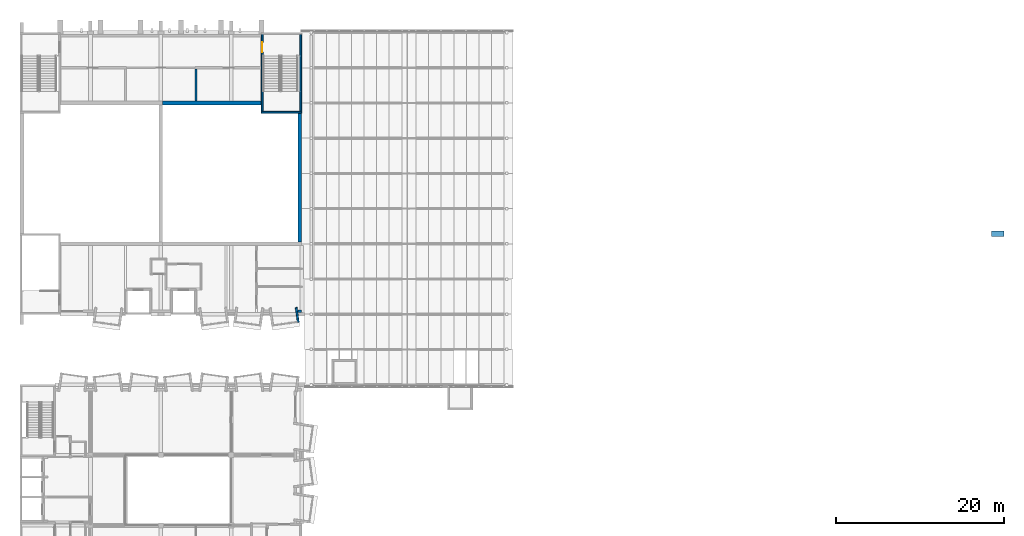
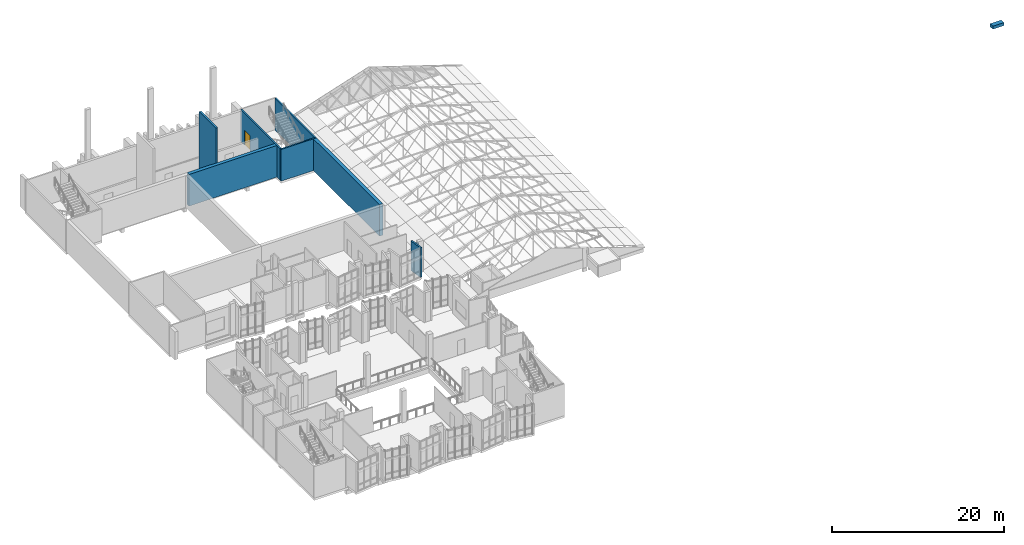
# One storey, part 84 of 95: 9 walls, 1 door, 1 opening.
"""IFC4 building model written with IfcOpenShell, lengths in metres."""

import ifcopenshell
import ifcopenshell.guid

model = None  # the IFC model being written
_history = None  # IfcOwnerHistory: only IFC2X3 demands one
_inside = {}  # id of a spatial element -> (the spatial element, [elements in it])
_under = {}  # id of a project, library or spatial element -> (it, [spatial elements below it])
_declared = {}  # id of a project -> (the project, [libraries it declares])
_typed = {}  # id of a type object -> (the type object, [elements of that type])
_made_of = {}  # id of a material, layer set ... -> (it, [elements and type objects made of it])


def new_model(schema):
    """Start an empty IFC model of exactly this schema.

    Asked for "IFC4X3", IfcOpenShell would pick the latest addendum, in which some entities
    have other attributes; the version numbers below select the first issue.
    IFC2X3 requires an IfcOwnerHistory on every rooted entity: one is made here for all.
    """
    global model, _history
    if schema == "IFC4X3":
        model = ifcopenshell.file(schema_version=(4, 3, 0, 0))
    else:
        model = ifcopenshell.file(schema=schema)
    _inside.clear()
    _under.clear()
    _declared.clear()
    _typed.clear()
    _made_of.clear()
    _history = None
    if model.schema == "IFC2X3":
        org = make("IfcOrganization", Name="unknown")
        user = make(
            "IfcPersonAndOrganization",
            ThePerson=make("IfcPerson", FamilyName="unknown"),
            TheOrganization=org,
        )
        app = make(
            "IfcApplication",
            ApplicationDeveloper=org,
            Version="unknown",
            ApplicationFullName="unknown",
            ApplicationIdentifier="unknown",
        )
        _history = make(
            "IfcOwnerHistory",
            OwningUser=user,
            OwningApplication=app,
            ChangeAction="ADDED",
            CreationDate=0,
        )
    return model


def make(cls, **values):
    """One entity of the class cls with the attributes given. An attribute that is None is left unset."""
    return model.create_entity(
        cls, **{name: value for name, value in values.items() if value is not None}
    )


def rooted(cls, **values):
    """An entity with a GlobalId (a new one), such as an element, a storey or a relation."""
    return make(cls, GlobalId=ifcopenshell.guid.new(), OwnerHistory=_history, **values)


def si_unit(unit_type, name, prefix=None):
    """IfcSIUnit, for example si_unit("LENGTHUNIT", "METRE", prefix="MILLI")."""
    return make("IfcSIUnit", UnitType=unit_type, Prefix=prefix, Name=name)


def assignment(units):
    """IfcUnitAssignment: the units of a project."""
    return None if units is None else make("IfcUnitAssignment", Units=units)


def point(xyz):
    """IfcCartesianPoint."""
    return None if xyz is None else make("IfcCartesianPoint", Coordinates=xyz)


def direction(xyz):
    """IfcDirection."""
    return None if xyz is None else make("IfcDirection", DirectionRatios=xyz)


def frame(location, z_axis=None, x_axis=None):
    """IfcAxis2Placement3D, a coordinate frame: its origin and axes. An axis left out is left unset."""
    return make(
        "IfcAxis2Placement3D",
        Location=point(location),
        Axis=direction(z_axis),
        RefDirection=direction(x_axis),
    )


def frame_2d(location, x_axis=None):
    """IfcAxis2Placement2D, a coordinate frame in the plane: its origin and x axis."""
    return make(
        "IfcAxis2Placement2D", Location=point(location), RefDirection=direction(x_axis)
    )


def origin():
    """The frame at (0, 0, 0) with its axes left unset."""
    return frame((0.0, 0.0, 0.0))


def place(relative_to, where):
    """IfcLocalPlacement: puts the frame where relative to a parent placement (None: the world)."""
    return make(
        "IfcLocalPlacement", PlacementRelTo=relative_to, RelativePlacement=where
    )


def context(
    kind, dimensions, precision=None, world=None, true_north=None, identifier=None
):
    """IfcGeometricRepresentationContext, for example the 3D "Model" context."""
    return make(
        "IfcGeometricRepresentationContext",
        ContextIdentifier=identifier,
        ContextType=kind,
        CoordinateSpaceDimension=dimensions,
        Precision=precision,
        WorldCoordinateSystem=world,
        TrueNorth=true_north,
    )


def subcontext(parent, identifier, kind, view, scale=None):
    """IfcGeometricRepresentationSubContext, for example "Body" below "Model"."""
    return make(
        "IfcGeometricRepresentationSubContext",
        ContextIdentifier=identifier,
        ContextType=kind,
        ParentContext=parent,
        TargetScale=scale,
        TargetView=view,
    )


def project(units=None, contexts=None):
    """IfcProject with its units and contexts."""
    return rooted(
        "IfcProject",
        Name="project",
        RepresentationContexts=contexts,
        UnitsInContext=assignment(units),
    )


def spatial(cls, under=None, at=None, **own):
    """A site, building, storey or space (cls), placed at a placement, below another one or the project."""
    s = rooted(cls, ObjectPlacement=at, **own)
    if under is not None:
        _under.setdefault(under.id(), (under, []))[1].append(s)
    return s


def profile(cls, at=None, kind="AREA", **sizes):
    """A parametric profile (cls). Its sizes go by their IFC names, for example OverallWidth=200.0."""
    return make(cls, ProfileType=kind, Position=at, **sizes)


def rectangle(**sizes):
    """IfcRectangleProfileDef."""
    return profile("IfcRectangleProfileDef", **sizes)


def extrude(swept, where, along, depth):
    """IfcExtrudedAreaSolid: the profile swept, set in the frame where, extruded along a direction by depth."""
    return make(
        "IfcExtrudedAreaSolid",
        SweptArea=swept,
        Position=where,
        ExtrudedDirection=direction(along),
        Depth=depth,
    )


def shape(context_of_items, identifier, shape_type, items):
    """IfcShapeRepresentation: the items that make up one representation, for example the "Body"."""
    return make(
        "IfcShapeRepresentation",
        ContextOfItems=context_of_items,
        RepresentationIdentifier=identifier,
        RepresentationType=shape_type,
        Items=items,
    )


def material(Name=None, Category=None):
    """IfcMaterial."""
    return make("IfcMaterial", Name=Name, Category=Category)


def layer(
    of_material, thickness, ventilated=None, Name=None, Category=None, Priority=None
):
    """IfcMaterialLayer: one layer of a wall or slab, of a material (None: an air gap)."""
    return make(
        "IfcMaterialLayer",
        Material=of_material,
        LayerThickness=thickness,
        IsVentilated=ventilated,
        Name=Name,
        Category=Category,
        Priority=Priority,
    )


def layer_set(layers, Name=None):
    """IfcMaterialLayerSet."""
    return make("IfcMaterialLayerSet", MaterialLayers=layers, LayerSetName=Name)


def made_of(thing, what):
    """Note that an element or type object is made of a material, layer set ...; save() writes the relation."""
    if what is not None:
        _made_of.setdefault(what.id(), (what, []))[1].append(thing)
    return thing


def type_object(cls, material=None, **own):
    """A type object (cls), such as IfcWallType, which elements share."""
    return made_of(rooted(cls, **own), material)


def element(
    cls,
    number,
    at=None,
    inside=None,
    cuts=None,
    type_object=None,
    material=None,
    context=None,
    identifier="Body",
    shape_type=None,
    held_by="IfcProductDefinitionShape",
    body=None,
    shapes=None,
    **own,
):
    """One element of the class cls, such as IfcWall. Its Tag is "e" and its number.

    at: its placement. inside: the storey or other place that contains it. cuts: it is an
    opening in that element (IfcRelVoidsElement). A single representation is given by context,
    identifier, shape_type and body (its items); several are given by shapes. held_by: the class
    of the entity that holds the representations. save() writes the other relations.
    """
    e = rooted(cls, Tag="e%d" % number, ObjectPlacement=at, **own)
    if body is not None:
        shapes = [shape(context, identifier, shape_type, body)]
    if shapes is not None:
        e.Representation = make(held_by, Representations=shapes)
    if inside is not None:
        _inside.setdefault(inside.id(), (inside, []))[1].append(e)
    if cuts is not None:
        rooted(
            "IfcRelVoidsElement", RelatingBuildingElement=cuts, RelatedOpeningElement=e
        )
    if type_object is not None:
        _typed.setdefault(type_object.id(), (type_object, []))[1].append(e)
    return made_of(e, material)


def fill(opening, filler):
    """IfcRelFillsElement: the door or window that sits in an opening."""
    return rooted(
        "IfcRelFillsElement",
        RelatingOpeningElement=opening,
        RelatedBuildingElement=filler,
    )


def aggregate(whole, parts):
    """IfcRelAggregates: a whole, such as a stair, and the parts it consists of."""
    return rooted("IfcRelAggregates", RelatingObject=whole, RelatedObjects=parts)


def save(model, path):
    """Write the relations noted so far, then the file.

    IfcRelAggregates (storeys below a building ...), IfcRelContainedInSpatialStructure (elements
    in a storey), IfcRelDefinesByType, IfcRelAssociatesMaterial and IfcRelDeclares: one each for
    every whole, place, type object, material and project.
    """
    for whole, parts in _under.values():
        aggregate(whole, parts)
    for where, things in _inside.values():
        rooted(
            "IfcRelContainedInSpatialStructure",
            RelatedElements=things,
            RelatingStructure=where,
        )
    for kind, things in _typed.values():
        rooted("IfcRelDefinesByType", RelatedObjects=things, RelatingType=kind)
    for what, things in _made_of.values():
        rooted("IfcRelAssociatesMaterial", RelatedObjects=things, RelatingMaterial=what)
    for by, libraries in _declared.values():
        rooted("IfcRelDeclares", RelatingContext=by, RelatedDefinitions=libraries)
    model.write(path)


model = new_model("IFC4")

# Units and contexts
model_context = context("Model", 3, precision=1e-05, world=origin(), true_north=direction((0.0, 1.0)))
body_context = subcontext(model_context, "Body", "Model", "MODEL_VIEW")
ifc_project = project(units=[si_unit("LENGTHUNIT", "METRE"), si_unit("AREAUNIT", "SQUARE_METRE"), si_unit("VOLUMEUNIT", "CUBIC_METRE"), si_unit("PLANEANGLEUNIT", "RADIAN"), si_unit("MASSUNIT", "GRAM", prefix="KILO")], contexts=[model_context])

# Site, building, storey
site_placement = place(None, origin())
site = spatial("IfcSite", under=ifc_project, at=site_placement, CompositionType="ELEMENT")
building_placement = place(site_placement, origin())
building = spatial("IfcBuilding", under=site, at=building_placement, Name="Kiln Court Media Centre", CompositionType="ELEMENT")
storey_placement = place(building_placement, frame((0.0, 0.0, 24.60009765625)))
storey = spatial("IfcBuildingStorey", under=building, at=storey_placement, Name="L05", CompositionType="ELEMENT", Elevation=24.60009765625)

# Walls
ifc_material_1 = material(Name="Brick masonry facing leaf with RC backing", Category="masonry")
ifc_layer_1 = layer(ifc_material_1, 0.215087890625)
ifc_layer_set_1 = layer_set([ifc_layer_1], Name="Brick masonry bay cheek wall 215")
wall_type_1 = type_object("IfcWallType", Name="Brick masonry bay cheek wall 215", PredefinedType="SOLIDWALL", material=ifc_layer_set_1)
wall_1_placement = place(storey_placement, frame((32.944091796875, 34.40869140625, 0.0), z_axis=(0.0, 0.0, 1.0), x_axis=(0.13918000587, -0.990267098295, 0.0)))
element("IfcWall", 1, at=wall_1_placement, inside=storey, type_object=wall_type_1, Name="BAY V4-S-L05-36 cheek R", PredefinedType="SOLIDWALL", context=body_context, shape_type="SweptSolid", body=[
    extrude(rectangle(XDim=1.7998046875, YDim=0.215087890625, at=frame_2d((0.89990234375, 0.0))), origin(), (0.0, 0.0, 1.0), 4.199951171875),
])
ifc_material_2 = material(Name="Concrete C40/50", Category="concrete")
ifc_layer_2 = layer(ifc_material_2, 0.449951171875)
ifc_layer_set_2 = layer_set([ifc_layer_2], Name="Concrete C40/50 auditorium wall 450")
wall_type_2 = type_object("IfcWallType", Name="Concrete C40/50 auditorium wall 450", PredefinedType="SHEAR", material=ifc_layer_set_2)
wall_2_placement = place(storey_placement, frame((17.02490234375, 58.800048828125, 0.0), z_axis=(0.0, 0.0, 1.0), x_axis=(1.0, 0.0, 0.0)))
element("IfcWall", 2, at=wall_2_placement, inside=storey, type_object=wall_type_2, Name="L05-W-1055", PredefinedType="SHEAR", context=body_context, shape_type="SweptSolid", body=[
    extrude(rectangle(XDim=11.775146484375, YDim=0.449951171875, at=frame_2d((5.8876953125, 0.0))), origin(), (0.0, 0.0, 1.0), 4.5),
])
wall_3_placement = place(storey_placement, frame((33.375, 57.60009765625, 0.0), z_axis=(0.0, 0.0, 1.0), x_axis=(0.0, -1.0, 0.0)))
element("IfcWall", 3, at=wall_3_placement, inside=storey, type_object=wall_type_2, Name="L05-W-1056", PredefinedType="SHEAR", context=body_context, shape_type="SweptSolid", body=[
    extrude(rectangle(XDim=15.375, YDim=0.449951171875, at=frame_2d((7.6875, 0.0))), origin(), (0.0, 0.0, 1.0), 4.5),
])
ifc_material_3 = material(Name="Concrete C40/50", Category="concrete")
ifc_layer_3 = layer(ifc_material_3, 0.300048828125)
ifc_layer_set_3 = layer_set([ifc_layer_3], Name="Concrete C40/50 board-marked facade wall 300")
wall_type_3 = type_object("IfcWallType", Name="Concrete C40/50 board-marked facade wall 300", PredefinedType="SOLIDWALL", material=ifc_layer_set_3)
wall_4_placement = place(storey_placement, frame((33.60009765625, 33.949951171875, 0.0), z_axis=(0.0, 0.0, 1.0), x_axis=(-1.0, 0.0, 0.0)))
element("IfcWall", 4, at=wall_4_placement, inside=storey, type_object=wall_type_3, Name="V4 S facade wall 4011", PredefinedType="SOLIDWALL", context=body_context, shape_type="SweptSolid", body=[
    extrude(rectangle(XDim=0.46240234375, YDim=0.300048828125, at=frame_2d((0.231201171875, 0.0))), origin(), (0.0, 0.0, 1.0), 3.961669921875),
])
ifc_material_4 = material(Name="Concrete C40/50", Category="concrete")
ifc_layer_4 = layer(ifc_material_4, 0.60009765625)
ifc_layer_set_4 = layer_set([ifc_layer_4], Name="Concrete C40/50 cast rib 600x1500")
wall_type_4 = type_object("IfcWallType", Name="Concrete C40/50 cast rib 600x1500", PredefinedType="SOLIDWALL", material=ifc_layer_set_4)
wall_5_placement = place(storey_placement, frame((117.386474609375, 43.199951171875, 0.0), z_axis=(0.0, 0.0, 1.0), x_axis=(-1.0, 0.0, 0.0)))
element("IfcWall", 5, at=wall_5_placement, inside=storey, type_object=wall_type_4, Name="V2 W gable rib", PredefinedType="SOLIDWALL", context=body_context, shape_type="SweptSolid", body=[
    extrude(rectangle(XDim=1.5, YDim=0.60009765625, at=frame_2d((0.75, 0.0))), origin(), (0.0, 0.0, 1.0), 0.43359375),
])
ifc_material_5 = material(Name="Concrete C40/50", Category="concrete")
ifc_layer_5 = layer(ifc_material_5, 0.199951171875)
ifc_layer_set_5 = layer_set([ifc_layer_5], Name="Concrete C40/50 shear wall 200")
wall_type_5 = type_object("IfcWallType", Name="Concrete C40/50 shear wall 200", PredefinedType="SHEAR", material=ifc_layer_set_5)
wall_6_placement = place(storey_placement, frame((33.60009765625, 57.699951171875, 0.0), z_axis=(0.0, 0.0, 1.0), x_axis=(-1.0, 0.0, 0.0)))
element("IfcWall", 6, at=wall_6_placement, inside=storey, type_object=wall_type_5, Name="L05-W-1020", PredefinedType="SHEAR", context=body_context, shape_type="SweptSolid", body=[
    extrude(rectangle(XDim=4.800048828125, YDim=0.199951171875, at=frame_2d((2.39990234375, 0.0))), origin(), (0.0, 0.0, 1.0), 4.5),
])

# Wall, opening, door
wall_7_placement = place(storey_placement, frame((28.89990234375, 57.800048828125, 0.0), z_axis=(0.0, 0.0, 1.0), x_axis=(0.0, 1.0, 0.0)))
wall_7 = element("IfcWall", 7, at=wall_7_placement, inside=storey, type_object=wall_type_5, Name="L05-W-1022", PredefinedType="SHEAR", context=body_context, shape_type="SweptSolid", body=[
    extrude(rectangle(XDim=9.199951171875, YDim=0.199951171875, at=frame_2d((4.60009765625, 0.0))), origin(), (0.0, 0.0, 1.0), 4.5),
])
opening_placement = place(wall_7_placement, frame((7.050048828125, 0.0, 0.0)))
opening = element("IfcOpeningElement", 8, at=opening_placement, cuts=wall_7, Name="Opening D5026", PredefinedType="OPENING", context=body_context, shape_type="SweptSolid", body=[
    extrude(rectangle(XDim=1.199951171875, YDim=2.10009765625, at=frame_2d((0.60009765625, 1.050048828125))), frame((0.0, 0.10986328125, 0.0), z_axis=(0.0, -1.0, 0.0), x_axis=(1.0, 0.0, 0.0)), (0.0, 0.0, 1.0), 0.219970703125),
])
ifc_material_6 = material(Name="Steel S275", Category="steel")
door_type = type_object("IfcDoorType", Name="Steel stair door 1200 x 2100 FD180", OperationType="SINGLE_SWING_LEFT", PredefinedType="DOOR", material=ifc_material_6)
door_placement = place(opening_placement, origin())
door = element("IfcDoor", 9, at=door_placement, inside=storey, type_object=door_type, Name="Stair 8 / Rear Exit Corridor", OperationType="SINGLE_SWING_RIGHT", OverallHeight=2.10009765625, OverallWidth=1.199951171875, PredefinedType="DOOR", context=body_context, shape_type="SweptSolid", body=[
    extrude(rectangle(XDim=1.199951171875, YDim=2.10009765625, at=frame_2d((0.60009765625, 1.050048828125))), frame((0.0, 0.02490234375, 0.0), z_axis=(0.0, -1.0, 0.0), x_axis=(1.0, 0.0, 0.0)), (0.0, 0.0, 1.0), 0.050048828125),
])
fill(opening, door)

# Walls
wall_8_placement = place(storey_placement, frame((33.5, 67.0, 0.0), z_axis=(0.0, 0.0, 1.0), x_axis=(0.0, -1.0, 0.0)))
element("IfcWall", 10, at=wall_8_placement, inside=storey, type_object=wall_type_5, Name="L05-W-1023", PredefinedType="SHEAR", context=body_context, shape_type="SweptSolid", body=[
    extrude(rectangle(XDim=9.199951171875, YDim=0.199951171875, at=frame_2d((4.60009765625, 0.0))), origin(), (0.0, 0.0, 1.0), 4.5),
])
ifc_material_7 = material(Name="Gypsum plasterboard", Category="gypsum")
ifc_layer_6 = layer(ifc_material_7, 0.25)
ifc_layer_set_6 = layer_set([ifc_layer_6], Name="Double-leaf acoustic wall 250 EI 120")
wall_type_6 = type_object("IfcWallType", Name="Double-leaf acoustic wall 250 EI 120", PredefinedType="PARTITIONING", material=ifc_layer_set_6)
wall_9_placement = place(storey_placement, frame((21.0, 59.02490234375, 0.0), z_axis=(0.0, 0.0, 1.0), x_axis=(0.0, 1.0, 0.0)))
element("IfcWall", 11, at=wall_9_placement, inside=storey, type_object=wall_type_6, Name="L05 double-leaf acoustic wall", PredefinedType="PARTITIONING", context=body_context, shape_type="SweptSolid", body=[
    extrude(rectangle(XDim=3.85009765625, YDim=0.25, at=frame_2d((1.925048828125, 0.0))), origin(), (0.0, 0.0, 1.0), 9.456298828125),
])

save(model, "model.ifc")
